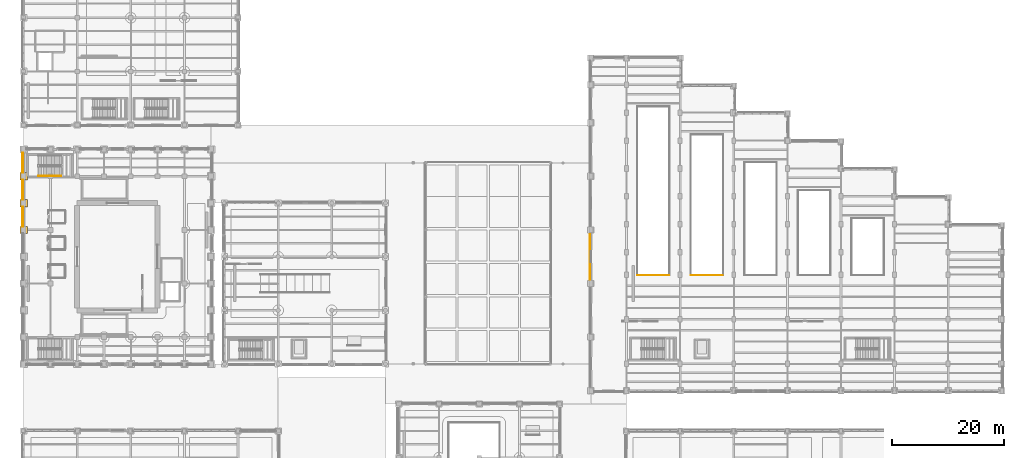
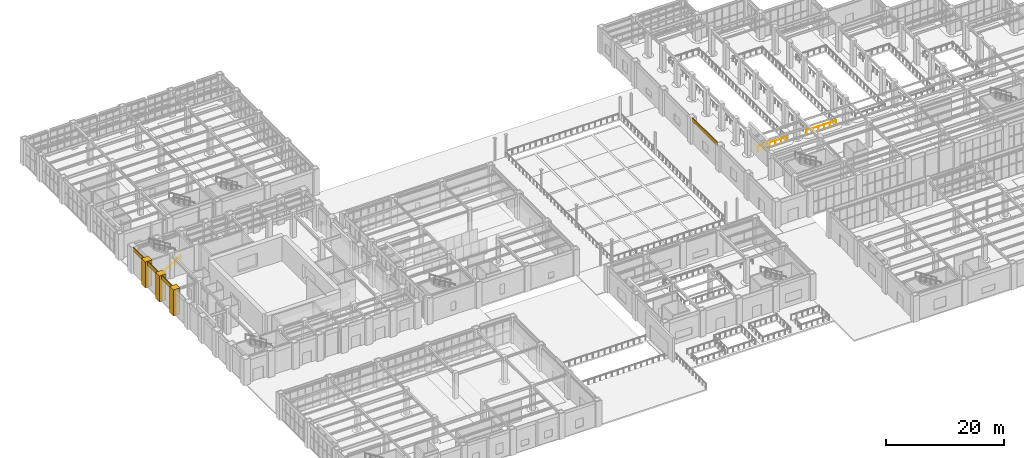
# One storey, part 153 of 164: 7 coverings, 3 railings.
"""IFC4 building model written with IfcOpenShell, lengths in metres."""

from ifc_helpers import new_model, si_unit, direction, frame, origin, origin_2d, place, context, subcontext, project, spatial, polyline, circle, outline, extrude, material, layer, layer_set, type_object, element, save


model = new_model("IFC4")

# Units and contexts
model_context = context("Model", 3, precision=1e-05, world=origin(), true_north=direction((0.0, 1.0)))
body_context = subcontext(model_context, "Body", "Model", "MODEL_VIEW")
ifc_project = project(units=[si_unit("LENGTHUNIT", "METRE"), si_unit("AREAUNIT", "SQUARE_METRE"), si_unit("VOLUMEUNIT", "CUBIC_METRE"), si_unit("PLANEANGLEUNIT", "RADIAN"), si_unit("MASSUNIT", "GRAM", prefix="KILO")], contexts=[model_context])

# Site, building, storey
site_placement = place(None, origin())
site = spatial("IfcSite", under=ifc_project, at=site_placement, CompositionType="ELEMENT")
building_placement = place(site_placement, origin())
building = spatial("IfcBuilding", under=site, at=building_placement, Name="Mavantir Sound Aquarium", CompositionType="ELEMENT")
storey_placement = place(building_placement, origin())
storey = spatial("IfcBuildingStorey", under=building, at=storey_placement, Name="L00", CompositionType="ELEMENT", Elevation=0.0)

# Coverings
ifc_material_1 = material(Name="Honed Coral-Limestone & Glazed Terracotta Rainscreen Cladding", Category="masonry")
ifc_layer = layer(ifc_material_1, 0.06005859375, Name="Honed Coral-Limestone & Glazed Terracotta Rainscreen Cladding")
ifc_layer_set = layer_set([ifc_layer], Name="Honed Coral-Limestone & Glazed Terracotta Rainscreen Cladding")
covering_type = type_object("IfcCoveringType", Name="COV-CLAD-TC", PredefinedType="CLADDING", material=ifc_layer_set)
covering_1_placement = place(storey_placement, frame((0.0, 0.0, 4.60791015625)))
element("IfcCovering", 1, at=covering_1_placement, inside=storey, type_object=covering_type, Name="L00 Postmodern coral-limestone spandrel frieze 16", PredefinedType="CLADDING", context=body_context, shape_type="SweptSolid", body=[
    extrude(outline(polyline([(-0.090087890625, 78.592041015625), (-0.090087890625, 75.008056640625), (-0.239990234375, 75.008056640625), (-0.239990234375, 78.592041015625), (-0.090087890625, 78.592041015625)])), origin(), (0.0, 0.0, 1.0), 0.7919921875),
])
covering_2_placement = place(storey_placement, frame((0.0, 0.0, 4.60791015625)))
element("IfcCovering", 2, at=covering_2_placement, inside=storey, type_object=covering_type, Name="L00 Postmodern coral-limestone spandrel frieze 17", PredefinedType="CLADDING", context=body_context, shape_type="SweptSolid", body=[
    extrude(outline(polyline([(-0.090087890625, 73.7919921875), (-0.090087890625, 70.2080078125), (-0.239990234375, 70.2080078125), (-0.239990234375, 73.7919921875), (-0.090087890625, 73.7919921875)])), origin(), (0.0, 0.0, 1.0), 0.7919921875),
])
covering_3_placement = place(storey_placement, frame((0.0, 0.0, 4.60791015625)))
element("IfcCovering", 3, at=covering_3_placement, inside=storey, type_object=covering_type, Name="L00 Postmodern coral-limestone spandrel frieze 18", PredefinedType="CLADDING", context=body_context, shape_type="SweptSolid", body=[
    extrude(outline(polyline([(-0.090087890625, 68.991943359375), (-0.090087890625, 65.407958984375), (-0.239990234375, 65.407958984375), (-0.239990234375, 68.991943359375), (-0.090087890625, 68.991943359375)])), origin(), (0.0, 0.0, 1.0), 0.7919921875),
])
covering_4_placement = place(storey_placement, frame((0.0, 0.0, 4.68603515625)))
element("IfcCovering", 4, at=covering_4_placement, inside=storey, type_object=covering_type, Name="L00 Postmodern coral-limestone spandrel frieze 78", PredefinedType="CLADDING", context=body_context, shape_type="SweptSolid", body=[
    extrude(outline(polyline([(101.510009765625, 64.2919921875), (101.510009765625, 55.7080078125), (101.360107421875, 55.7080078125), (101.360107421875, 64.2919921875), (101.510009765625, 64.2919921875)])), origin(), (0.0, 0.0, 1.0), 0.7138671875),
])
covering_5_placement = place(storey_placement, origin())
element("IfcCovering", 5, at=covering_5_placement, inside=storey, type_object=covering_type, Name="L00 Postmodern coral-limestone pilaster casing 21", PredefinedType="CLADDING", context=body_context, shape_type="SweptSolid", body=[
    extrude(outline(polyline([(-0.64990234375, 64.14990234375), (0.64990234375, 64.14990234375), (0.64990234375, 65.449951171875), (-0.64990234375, 65.449951171875), (-0.64990234375, 64.14990234375)])), origin(), (0.0, 0.0, 1.0), 5.39990234375),
])
covering_6_placement = place(storey_placement, origin())
element("IfcCovering", 6, at=covering_6_placement, inside=storey, type_object=covering_type, Name="L00 Postmodern coral-limestone pilaster casing 25", PredefinedType="CLADDING", context=body_context, shape_type="SweptSolid", body=[
    extrude(outline(polyline([(-0.64990234375, 68.949951171875), (0.64990234375, 68.949951171875), (0.64990234375, 70.25), (-0.64990234375, 70.25), (-0.64990234375, 68.949951171875)])), origin(), (0.0, 0.0, 1.0), 5.39990234375),
])
covering_7_placement = place(storey_placement, origin())
element("IfcCovering", 7, at=covering_7_placement, inside=storey, type_object=covering_type, Name="L00 Postmodern coral-limestone pilaster casing 29", PredefinedType="CLADDING", context=body_context, shape_type="SweptSolid", body=[
    extrude(outline(polyline([(-0.64990234375, 73.75), (0.64990234375, 73.75), (0.64990234375, 75.050048828125), (-0.64990234375, 75.050048828125), (-0.64990234375, 73.75)])), origin(), (0.0, 0.0, 1.0), 5.39990234375),
])

# Railings
ifc_material_2 = material(Name="Stainless Steel 316 and Laminated Glass Guardrail", Category="steel")
railing_type_1 = type_object("IfcRailingType", Name="RL-GUARD-110", PredefinedType="GUARDRAIL", material=ifc_material_2)
railing_1_placement = place(storey_placement, frame((109.89990234375, 56.699951171875, 0.0)))
element("IfcRailing", 8, at=railing_1_placement, inside=storey, type_object=railing_type_1, Name="L00 atrium void S guardrail 67", PredefinedType="GUARDRAIL", context=body_context, shape_type="SweptSolid", body=[
    extrude(circle(Radius=0.02392578125, at=origin_2d()), frame((0.0, 0.0, 1.076171875), z_axis=(1.0, 0.0, 0.0), x_axis=(0.0, 1.0, 0.0)), (0.0, 0.0, 1.0), 5.72021484375),
    extrude(circle(Radius=0.02099609375, at=origin_2d()), origin(), (0.0, 0.0, 1.0), 1.052001953125),
    extrude(circle(Radius=0.02099609375, at=origin_2d()), frame((1.14404296875, 0.0, 0.0)), (0.0, 0.0, 1.0), 1.052001953125),
    extrude(circle(Radius=0.02099609375, at=origin_2d()), frame((2.2880859375, 0.0, 0.0)), (0.0, 0.0, 1.0), 1.052001953125),
    extrude(circle(Radius=0.02099609375, at=origin_2d()), frame((3.43212890625, 0.0, 0.0)), (0.0, 0.0, 1.0), 1.052001953125),
    extrude(circle(Radius=0.02099609375, at=origin_2d()), frame((4.576171875, 0.0, 0.0)), (0.0, 0.0, 1.0), 1.052001953125),
    extrude(circle(Radius=0.02099609375, at=origin_2d()), frame((5.72021484375, 0.0, 0.0)), (0.0, 0.0, 1.0), 1.052001953125),
])
railing_2_placement = place(storey_placement, frame((119.5, 56.699951171875, 0.0)))
element("IfcRailing", 9, at=railing_2_placement, inside=storey, type_object=railing_type_1, Name="L00 atrium void S guardrail 71", PredefinedType="GUARDRAIL", context=body_context, shape_type="SweptSolid", body=[
    extrude(circle(Radius=0.02392578125, at=origin_2d()), frame((0.0, 0.0, 1.076171875), z_axis=(1.0, 0.0, 0.0), x_axis=(0.0, 1.0, 0.0)), (0.0, 0.0, 1.0), 5.719970703125),
    extrude(circle(Radius=0.02099609375, at=origin_2d()), origin(), (0.0, 0.0, 1.0), 1.052001953125),
    extrude(circle(Radius=0.02099609375, at=origin_2d()), frame((1.14404296875, 0.0, 0.0)), (0.0, 0.0, 1.0), 1.052001953125),
    extrude(circle(Radius=0.02099609375, at=origin_2d()), frame((2.2880859375, 0.0, 0.0)), (0.0, 0.0, 1.0), 1.052001953125),
    extrude(circle(Radius=0.02099609375, at=origin_2d()), frame((3.431884765625, 0.0, 0.0)), (0.0, 0.0, 1.0), 1.052001953125),
    extrude(circle(Radius=0.02099609375, at=origin_2d()), frame((4.575927734375, 0.0, 0.0)), (0.0, 0.0, 1.0), 1.052001953125),
    extrude(circle(Radius=0.02099609375, at=origin_2d()), frame((5.719970703125, 0.0, 0.0)), (0.0, 0.0, 1.0), 1.052001953125),
])
ifc_material_3 = material(Name="Brushed Stainless Steel 316 Handrail", Category="steel")
railing_type_2 = type_object("IfcRailingType", Name="RL-HR-90", PredefinedType="HANDRAIL", material=ifc_material_3)
railing_3_placement = place(storey_placement, frame((2.64990234375, 74.449951171875, 0.364990234375)))
element("IfcRailing", 10, at=railing_3_placement, inside=storey, type_object=railing_type_2, Name="L00 ST2 stair handrail 1", PredefinedType="HANDRAIL", context=body_context, shape_type="SweptSolid", body=[
    extrude(circle(Radius=0.02392578125, at=origin_2d()), frame((0.0, 0.0, 0.89111328125), z_axis=(0.849641744969, 0.0, 0.527360318194), x_axis=(0.0, 1.0, 0.0)), (0.0, 0.0, 1.0), 4.778564453125),
    extrude(circle(Radius=0.02099609375, at=origin_2d()), origin(), (0.0, 0.0, 1.0), 0.866943359375),
    extrude(circle(Radius=0.02099609375, at=origin_2d()), frame((1.01513671875, 0.0, 0.6298828125)), (0.0, 0.0, 1.0), 0.866943359375),
    extrude(circle(Radius=0.02099609375, at=origin_2d()), frame((2.030029296875, 0.0, 1.260009765625)), (0.0, 0.0, 1.0), 0.866943359375),
    extrude(circle(Radius=0.02099609375, at=origin_2d()), frame((3.044921875, 0.0, 1.89013671875)), (0.0, 0.0, 1.0), 0.866943359375),
    extrude(circle(Radius=0.02099609375, at=origin_2d()), frame((4.06005859375, 0.0, 2.52001953125)), (0.0, 0.0, 1.0), 0.866943359375),
])

save(model, "model.ifc")
